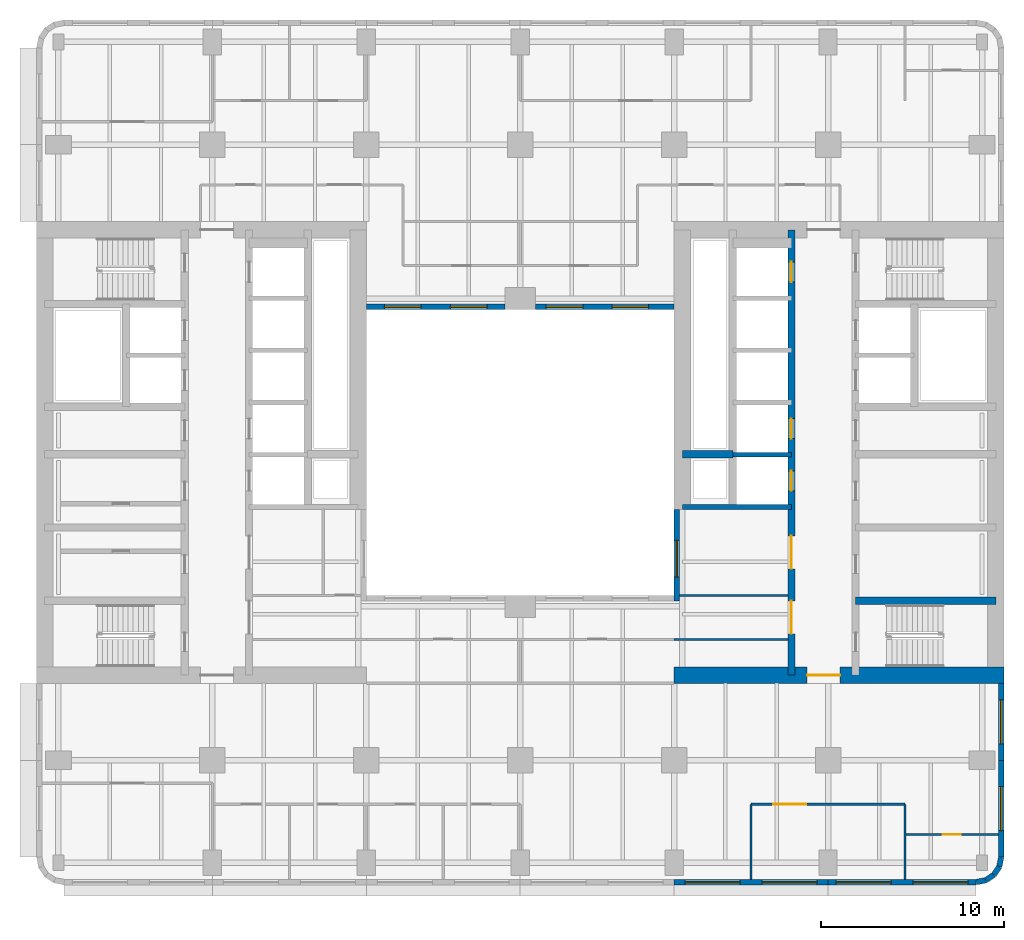
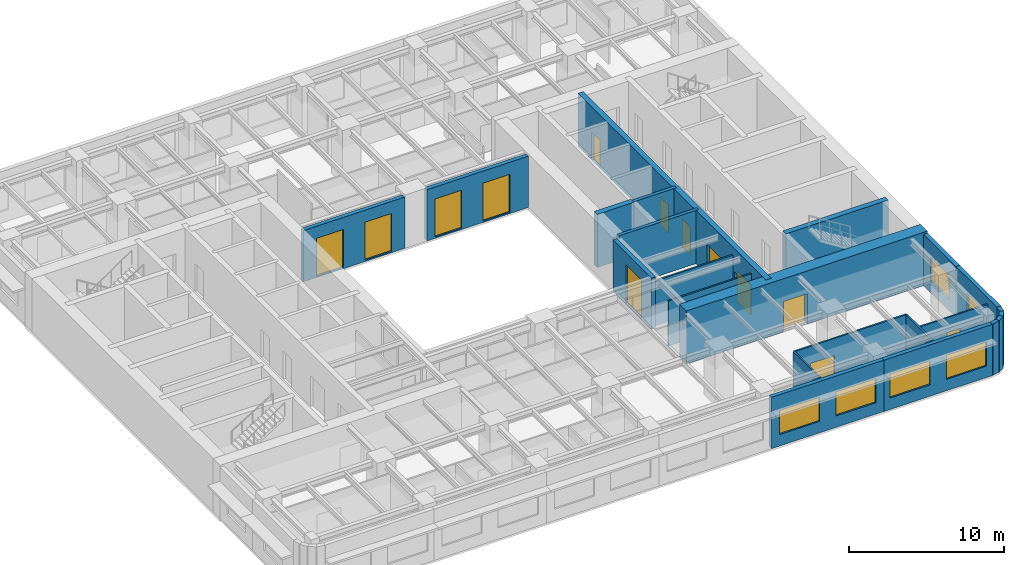
# One storey, part 5 of 11: 23 walls, 11 windows, 8 doors, 19 openings.
"""IFC4 building model written with IfcOpenShell, lengths in metres."""

from ifc_helpers import new_model, si_unit, direction, frame, frame_2d, origin, place, context, subcontext, project, spatial, rectangle, extrude, material, layer, layer_set, type_object, element, fill, save


model = new_model("IFC4")

# Units and contexts
model_context = context("Model", 3, precision=1e-05, world=origin(), true_north=direction((0.0, 1.0)))
body_context = subcontext(model_context, "Body", "Model", "MODEL_VIEW")
ifc_project = project(units=[si_unit("LENGTHUNIT", "METRE"), si_unit("AREAUNIT", "SQUARE_METRE"), si_unit("VOLUMEUNIT", "CUBIC_METRE"), si_unit("PLANEANGLEUNIT", "RADIAN"), si_unit("MASSUNIT", "GRAM", prefix="KILO")], contexts=[model_context])

# Site, building, storey
site_placement = place(None, origin())
site = spatial("IfcSite", under=ifc_project, at=site_placement, CompositionType="ELEMENT")
building_placement = place(site_placement, origin())
building = spatial("IfcBuilding", under=site, at=building_placement, Name="Claustro Exchange Tower", CompositionType="ELEMENT")
storey_placement = place(building_placement, frame((0.0, 0.0, 121.800048828125)))
storey = spatial("IfcBuildingStorey", under=building, at=storey_placement, Name="L27", CompositionType="ELEMENT", Elevation=121.800048828125)

# Wall
ifc_material_1 = material(Name="Laminated glass in aluminium frame", Category="aluminium")
ifc_layer_1 = layer(ifc_material_1, 0.1201171875)
ifc_layer_set_1 = layer_set([ifc_layer_1], Name="Laminated glass in aluminium frame")
wall_type_1 = type_object("IfcWallType", Name="P2 120 glazed partition", PredefinedType="PARTITIONING", material=ifc_layer_set_1)
wall_1_placement = place(storey_placement, frame((33.89794921875, 17.39990234375, 0.0), z_axis=(0.0, 0.0, 1.0), x_axis=(1.0, 0.0, 0.0)))
element("IfcWall", 1, at=wall_1_placement, inside=storey, type_object=wall_type_1, Name="Partition P2 L27", PredefinedType="PARTITIONING", context=body_context, shape_type="SweptSolid", body=[
    extrude(rectangle(XDim=5.904052734375, YDim=0.1201171875, at=frame_2d((2.9521484375, 0.0))), origin(), (0.0, 0.0, 1.0), 3.550048828125),
])

# Wall, opening, door
wall_2_placement = place(storey_placement, frame((46.258056640625, 4.35009765625, 0.0), z_axis=(0.0, 0.0, 1.0), x_axis=(1.0, 0.0, 0.0)))
wall_2 = element("IfcWall", 2, at=wall_2_placement, inside=storey, type_object=wall_type_1, Name="Partition P2 L27", PredefinedType="PARTITIONING", context=body_context, shape_type="SweptSolid", body=[
    extrude(rectangle(XDim=5.0439453125, YDim=0.1201171875, at=frame_2d((2.52197265625, 0.0))), origin(), (0.0, 0.0, 1.0), 3.56005859375),
])
opening_1_placement = place(wall_2_placement, frame((1.991943359375, 0.0, 0.0)))
opening_1 = element("IfcOpeningElement", 3, at=opening_1_placement, cuts=wall_2, Name="Opening D7", PredefinedType="OPENING", context=body_context, shape_type="SweptSolid", body=[
    extrude(rectangle(XDim=1.0, YDim=2.39990234375, at=frame_2d((0.5, 1.199951171875))), frame((0.0, 0.070068359375, 0.0), z_axis=(0.0, -1.0, 0.0), x_axis=(1.0, 0.0, 0.0)), (0.0, 0.0, 1.0), 0.14013671875),
])
ifc_material_2 = material(Name="Glass door in aluminium frame", Category="aluminium")
door_type_1 = type_object("IfcDoorType", Name="D7 1000 x 2400 glazed door", OperationType="SINGLE_SWING_LEFT", PredefinedType="DOOR", material=ifc_material_2)
door_1_placement = place(opening_1_placement, frame((1.0, 0.0, 0.0), z_axis=(0.0, 0.0, 1.0), x_axis=(-1.0, 0.0, 0.0)))
door_1 = element("IfcDoor", 4, at=door_1_placement, inside=storey, type_object=door_type_1, Name="Door D7 L27", OperationType="SINGLE_SWING_RIGHT", OverallHeight=2.39990234375, OverallWidth=1.0, PredefinedType="DOOR", context=body_context, shape_type="SweptSolid", body=[
    extrude(rectangle(XDim=1.0, YDim=2.39990234375, at=frame_2d((0.5, 1.199951171875))), frame((0.0, 0.02490234375, 0.0), z_axis=(0.0, -1.0, 0.0), x_axis=(1.0, 0.0, 0.0)), (0.0, 0.0, 1.0), 0.050048828125),
])
fill(opening_1, door_1)

wall_3_placement = place(storey_placement, frame((37.800048828125, 6.0, 0.0), z_axis=(0.0, 0.0, 1.0), x_axis=(1.0, 0.0, 0.0)))
wall_3 = element("IfcWall", 5, at=wall_3_placement, inside=storey, type_object=wall_type_1, Name="Partition P2 L27", PredefinedType="PARTITIONING", context=body_context, shape_type="SweptSolid", body=[
    extrude(rectangle(XDim=8.39990234375, YDim=0.1201171875, at=frame_2d((4.199951171875, 0.0))), origin(), (0.0, 0.0, 1.0), 3.550048828125),
])
opening_2_placement = place(wall_3_placement, frame((1.199951171875, 0.0, 0.0)))
opening_2 = element("IfcOpeningElement", 6, at=opening_2_placement, cuts=wall_3, Name="Opening D2", PredefinedType="OPENING", context=body_context, shape_type="SweptSolid", body=[
    extrude(rectangle(XDim=1.800048828125, YDim=2.199951171875, at=frame_2d((0.89990234375, 1.10009765625))), frame((0.0, 0.070068359375, 0.0), z_axis=(0.0, -1.0, 0.0), x_axis=(1.0, 0.0, 0.0)), (0.0, 0.0, 1.0), 0.14013671875),
])
ifc_material_3 = material(Name="Timber door, oak veneer", Category="wood")
door_type_2 = type_object("IfcDoorType", Name="D2 1800 x 2200 double door", OperationType="DOUBLE_DOOR_SINGLE_SWING", PredefinedType="DOOR", material=ifc_material_3)
door_2_placement = place(opening_2_placement, frame((1.800048828125, 0.0, 0.0), z_axis=(0.0, 0.0, 1.0), x_axis=(-1.0, 0.0, 0.0)))
door_2 = element("IfcDoor", 7, at=door_2_placement, inside=storey, type_object=door_type_2, Name="Double door D2 L27", OperationType="DOUBLE_DOOR_SINGLE_SWING", OverallHeight=2.199951171875, OverallWidth=1.800048828125, PredefinedType="DOOR", context=body_context, shape_type="SweptSolid", body=[
    extrude(rectangle(XDim=1.800048828125, YDim=2.199951171875, at=frame_2d((0.89990234375, 1.10009765625))), frame((0.0, 0.02490234375, 0.0), z_axis=(0.0, -1.0, 0.0), x_axis=(1.0, 0.0, 0.0)), (0.0, 0.0, 1.0), 0.050048828125),
])
fill(opening_2, door_2)

# Walls
for number, where, z_axis, x_axis, name in (
    (8, (37.800048828125, 1.89794921875, 0.0), (0.0, 0.0, 1.0), (0.0, 1.0, 0.0), "Partition P2 L27"),
    (9, (46.199951171875, 1.89794921875, 0.0), (0.0, 0.0, 1.0), (0.0, 1.0, 0.0), "Partition P2 L27"),
):
    element("IfcWall", number, at=place(storey_placement, frame(where, z_axis=z_axis, x_axis=x_axis)), inside=storey, type_object=wall_type_1, Name=name, PredefinedType="PARTITIONING", context=body_context, shape_type="SweptSolid", body=[
        extrude(rectangle(XDim=4.10205078125, YDim=0.1201171875, at=frame_2d((2.051025390625, 0.0))), origin(), (0.0, 0.0, 1.0), 3.56005859375),
    ])
wall_4_placement = place(storey_placement, frame((33.597900390625, 15.0, 0.0), z_axis=(0.0, 0.0, 1.0), x_axis=(1.0, 0.0, 0.0)))
element("IfcWall", 10, at=wall_4_placement, inside=storey, type_object=wall_type_1, Name="Partition P2 L27", PredefinedType="PARTITIONING", context=body_context, shape_type="SweptSolid", body=[
    extrude(rectangle(XDim=6.2041015625, YDim=0.1201171875, at=frame_2d((3.10205078125, 0.0))), origin(), (0.0, 0.0, 1.0), 3.550048828125),
])

# Wall, openings, windows
ifc_material_4 = material(Name="Concrete HA-40 (C40/50), precast, white cement, acid-etched", Category="concrete")
ifc_layer_2 = layer(ifc_material_4, 0.300048828125)
ifc_layer_set_2 = layer_set([ifc_layer_2], Name="Concrete HA-40 (C40/50), precast, white cement, acid-etched")
wall_type_2 = type_object("IfcWallType", Name="PC1 300 precast concrete pier panel", PredefinedType="SOLIDWALL", material=ifc_layer_set_2)
wall_5_placement = place(storey_placement, frame((50.085205078125, 1.75, 0.0), z_axis=(0.0, 0.0, 1.0), x_axis=(-1.0, 0.0, 0.0)))
wall_5 = element("IfcWall", 11, at=wall_5_placement, inside=storey, type_object=wall_type_2, Name="Precast pier panel PC1 L27", PredefinedType="SOLIDWALL", context=body_context, shape_type="SweptSolid", body=[
    extrude(rectangle(XDim=8.085205078125, YDim=0.300048828125, at=frame_2d((4.04248046875, 0.0))), origin(), (0.0, 0.0, 1.0), 4.050048828125),
])
opening_3_placement = place(wall_5_placement, frame((0.442626953125, 0.0, 0.89990234375)))
opening_3 = element("IfcOpeningElement", 12, at=opening_3_placement, cuts=wall_5, Name="Opening W1", PredefinedType="OPENING", context=body_context, shape_type="SweptSolid", body=[
    extrude(rectangle(XDim=3.0, YDim=1.89990234375, at=frame_2d((1.5, 0.949951171875))), frame((0.0, 0.159912109375, 0.0), z_axis=(0.0, -1.0, 0.0), x_axis=(1.0, 0.0, 0.0)), (0.0, 0.0, 1.0), 0.320068359375),
])
opening_4_placement = place(wall_5_placement, frame((4.642578125, 0.0, 0.89990234375)))
opening_4 = element("IfcOpeningElement", 13, at=opening_4_placement, cuts=wall_5, Name="Opening W1", PredefinedType="OPENING", context=body_context, shape_type="SweptSolid", body=[
    extrude(rectangle(XDim=3.0, YDim=1.89990234375, at=frame_2d((1.5, 0.949951171875))), frame((0.0, 0.159912109375, 0.0), z_axis=(0.0, -1.0, 0.0), x_axis=(1.0, 0.0, 0.0)), (0.0, 0.0, 1.0), 0.320068359375),
])
ifc_material_5 = material(Name="Aluminium frame, clear double glazing", Category="aluminium")
window_type_1 = type_object("IfcWindowType", Name="W1 3000 x 1900 window", PartitioningType="SINGLE_PANEL", PredefinedType="WINDOW", material=ifc_material_5)
window_1_placement = place(opening_3_placement, origin())
window_1 = element("IfcWindow", 14, at=window_1_placement, inside=storey, type_object=window_type_1, Name="Window W1 L27", OverallHeight=1.89990234375, OverallWidth=3.0, PartitioningType="SINGLE_PANEL", PredefinedType="WINDOW", context=body_context, shape_type="SweptSolid", body=[
    extrude(rectangle(XDim=3.0, YDim=1.89990234375, at=frame_2d((1.5, 0.949951171875))), frame((0.0, 0.030029296875, 0.0), z_axis=(0.0, -1.0, 0.0), x_axis=(1.0, 0.0, 0.0)), (0.0, 0.0, 1.0), 0.06005859375),
])
fill(opening_3, window_1)
window_2_placement = place(opening_4_placement, origin())
window_2 = element("IfcWindow", 15, at=window_2_placement, inside=storey, type_object=window_type_1, Name="Window W1 L27", OverallHeight=1.89990234375, OverallWidth=3.0, PartitioningType="SINGLE_PANEL", PredefinedType="WINDOW", context=body_context, shape_type="SweptSolid", body=[
    extrude(rectangle(XDim=3.0, YDim=1.89990234375, at=frame_2d((1.5, 0.949951171875))), frame((0.0, 0.030029296875, 0.0), z_axis=(0.0, -1.0, 0.0), x_axis=(1.0, 0.0, 0.0)), (0.0, 0.0, 1.0), 0.06005859375),
])
fill(opening_4, window_2)

wall_6_placement = place(storey_placement, frame((42.0, 1.75, 0.0), z_axis=(0.0, 0.0, 1.0), x_axis=(-1.0, 0.0, 0.0)))
wall_6 = element("IfcWall", 16, at=wall_6_placement, inside=storey, type_object=wall_type_2, Name="Precast pier panel PC1 L27", PredefinedType="SOLIDWALL", context=body_context, shape_type="SweptSolid", body=[
    extrude(rectangle(XDim=8.39990234375, YDim=0.300048828125, at=frame_2d((4.199951171875, 0.0))), origin(), (0.0, 0.0, 1.0), 4.050048828125),
])
opening_5_placement = place(wall_6_placement, frame((0.60009765625, 0.0, 0.89990234375)))
opening_5 = element("IfcOpeningElement", 17, at=opening_5_placement, cuts=wall_6, Name="Opening W1", PredefinedType="OPENING", context=body_context, shape_type="SweptSolid", body=[
    extrude(rectangle(XDim=3.0, YDim=1.89990234375, at=frame_2d((1.5, 0.949951171875))), frame((0.0, 0.159912109375, 0.0), z_axis=(0.0, -1.0, 0.0), x_axis=(1.0, 0.0, 0.0)), (0.0, 0.0, 1.0), 0.320068359375),
])
opening_6_placement = place(wall_6_placement, frame((4.800048828125, 0.0, 0.89990234375)))
opening_6 = element("IfcOpeningElement", 18, at=opening_6_placement, cuts=wall_6, Name="Opening W1", PredefinedType="OPENING", context=body_context, shape_type="SweptSolid", body=[
    extrude(rectangle(XDim=3.0, YDim=1.89990234375, at=frame_2d((1.5, 0.949951171875))), frame((0.0, 0.159912109375, 0.0), z_axis=(0.0, -1.0, 0.0), x_axis=(1.0, 0.0, 0.0)), (0.0, 0.0, 1.0), 0.320068359375),
])
window_3_placement = place(opening_5_placement, origin())
window_3 = element("IfcWindow", 19, at=window_3_placement, inside=storey, type_object=window_type_1, Name="Window W1 L27", OverallHeight=1.89990234375, OverallWidth=3.0, PartitioningType="SINGLE_PANEL", PredefinedType="WINDOW", context=body_context, shape_type="SweptSolid", body=[
    extrude(rectangle(XDim=3.0, YDim=1.89990234375, at=frame_2d((1.5, 0.949951171875))), frame((0.0, 0.030029296875, 0.0), z_axis=(0.0, -1.0, 0.0), x_axis=(1.0, 0.0, 0.0)), (0.0, 0.0, 1.0), 0.06005859375),
])
fill(opening_5, window_3)
window_4_placement = place(opening_6_placement, origin())
window_4 = element("IfcWindow", 20, at=window_4_placement, inside=storey, type_object=window_type_1, Name="Window W1 L27", OverallHeight=1.89990234375, OverallWidth=3.0, PartitioningType="SINGLE_PANEL", PredefinedType="WINDOW", context=body_context, shape_type="SweptSolid", body=[
    extrude(rectangle(XDim=3.0, YDim=1.89990234375, at=frame_2d((1.5, 0.949951171875))), frame((0.0, 0.030029296875, 0.0), z_axis=(0.0, -1.0, 0.0), x_axis=(1.0, 0.0, 0.0)), (0.0, 0.0, 1.0), 0.06005859375),
])
fill(opening_6, window_4)

# Wall, opening, window
wall_7_placement = place(storey_placement, frame((51.449951171875, 12.60009765625, 0.0), z_axis=(0.0, 0.0, 1.0), x_axis=(0.0, -1.0, 0.0)))
wall_7 = element("IfcWall", 21, at=wall_7_placement, inside=storey, type_object=wall_type_2, Name="Precast pier panel PC1 L27", PredefinedType="SOLIDWALL", context=body_context, shape_type="SweptSolid", body=[
    extrude(rectangle(XDim=4.2001953125, YDim=0.300048828125, at=frame_2d((2.10009765625, 0.0))), origin(), (0.0, 0.0, 1.0), 4.050048828125),
])
opening_7_placement = place(wall_7_placement, frame((0.89990234375, 0.0, 0.89990234375)))
opening_7 = element("IfcOpeningElement", 22, at=opening_7_placement, cuts=wall_7, Name="Opening W2", PredefinedType="OPENING", context=body_context, shape_type="SweptSolid", body=[
    extrude(rectangle(XDim=2.39990234375, YDim=1.89990234375, at=frame_2d((1.199951171875, 0.949951171875))), frame((0.0, 0.159912109375, 0.0), z_axis=(0.0, -1.0, 0.0), x_axis=(1.0, 0.0, 0.0)), (0.0, 0.0, 1.0), 0.320068359375),
])
ifc_material_6 = material(Name="Aluminium frame, clear double glazing", Category="aluminium")
window_type_2 = type_object("IfcWindowType", Name="W2 2400 x 1900 window", PartitioningType="SINGLE_PANEL", PredefinedType="WINDOW", material=ifc_material_6)
window_5_placement = place(opening_7_placement, origin())
window_5 = element("IfcWindow", 23, at=window_5_placement, inside=storey, type_object=window_type_2, Name="Window W2 L27", OverallHeight=1.89990234375, OverallWidth=2.39990234375, PartitioningType="SINGLE_PANEL", PredefinedType="WINDOW", context=body_context, shape_type="SweptSolid", body=[
    extrude(rectangle(XDim=2.39990234375, YDim=1.89990234375, at=frame_2d((1.199951171875, 0.949951171875))), frame((0.0, 0.030029296875, 0.0), z_axis=(0.0, -1.0, 0.0), x_axis=(1.0, 0.0, 0.0)), (0.0, 0.0, 1.0), 0.06005859375),
])
fill(opening_7, window_5)

wall_8_placement = place(storey_placement, frame((51.449951171875, 8.39990234375, 0.0), z_axis=(0.0, 0.0, 1.0), x_axis=(0.0, -1.0, 0.0)))
wall_8 = element("IfcWall", 24, at=wall_8_placement, inside=storey, type_object=wall_type_2, Name="Precast pier panel PC1 L27", PredefinedType="SOLIDWALL", context=body_context, shape_type="SweptSolid", body=[
    extrude(rectangle(XDim=5.28515625, YDim=0.300048828125, at=frame_2d((2.642578125, 0.0))), origin(), (0.0, 0.0, 1.0), 4.050048828125),
])
opening_8_placement = place(wall_8_placement, frame((1.442626953125, 0.0, 0.89990234375)))
opening_8 = element("IfcOpeningElement", 25, at=opening_8_placement, cuts=wall_8, Name="Opening W2", PredefinedType="OPENING", context=body_context, shape_type="SweptSolid", body=[
    extrude(rectangle(XDim=2.39990234375, YDim=1.89990234375, at=frame_2d((1.199951171875, 0.949951171875))), frame((0.0, 0.159912109375, 0.0), z_axis=(0.0, -1.0, 0.0), x_axis=(1.0, 0.0, 0.0)), (0.0, 0.0, 1.0), 0.320068359375),
])
window_6_placement = place(opening_8_placement, origin())
window_6 = element("IfcWindow", 26, at=window_6_placement, inside=storey, type_object=window_type_2, Name="Window W2 L27", OverallHeight=1.89990234375, OverallWidth=2.39990234375, PartitioningType="SINGLE_PANEL", PredefinedType="WINDOW", context=body_context, shape_type="SweptSolid", body=[
    extrude(rectangle(XDim=2.39990234375, YDim=1.89990234375, at=frame_2d((1.199951171875, 0.949951171875))), frame((0.0, 0.030029296875, 0.0), z_axis=(0.0, -1.0, 0.0), x_axis=(1.0, 0.0, 0.0)), (0.0, 0.0, 1.0), 0.06005859375),
])
fill(opening_8, window_6)

# Walls
wall_9_placement = place(storey_placement, frame((51.449951171875, 3.11474609375, 0.0), z_axis=(0.0, 0.0, 1.0), x_axis=(-0.195073962632, -0.980788534345, 0.0)))
element("IfcWall", 27, at=wall_9_placement, inside=storey, type_object=wall_type_2, Name="Precast pier panel PC1 L27", PredefinedType="SOLIDWALL", context=body_context, shape_type="SweptSolid", body=[
    extrude(rectangle(XDim=0.540771484375, YDim=0.300048828125, at=frame_2d((0.2705078125, 0.0))), origin(), (0.0, 0.0, 1.0), 4.050048828125),
])
for number, where, z_axis, x_axis, name in (
    (28, (51.344482421875, 2.58447265625, 0.0), (0.0, 0.0, 1.0), (-0.555557463938, -0.831478144188, 0.0), "Precast pier panel PC1 L27"),
    (29, (51.052490234375, 2.1474609375, 0.0), (0.0, 0.0, 1.0), (-0.831478144188, -0.555557463938, 0.0), "Precast pier panel PC1 L27"),
):
    element("IfcWall", number, at=place(storey_placement, frame(where, z_axis=z_axis, x_axis=x_axis)), inside=storey, type_object=wall_type_2, Name=name, PredefinedType="SOLIDWALL", context=body_context, shape_type="SweptSolid", body=[
        extrude(rectangle(XDim=0.525634765625, YDim=0.300048828125, at=frame_2d((0.2626953125, 0.0))), origin(), (0.0, 0.0, 1.0), 4.050048828125),
    ])
wall_10_placement = place(storey_placement, frame((50.615478515625, 1.85546875, 0.0), z_axis=(0.0, 0.0, 1.0), x_axis=(-0.980788534345, -0.195073962632, 0.0)))
element("IfcWall", 30, at=wall_10_placement, inside=storey, type_object=wall_type_2, Name="Precast pier panel PC1 L27", PredefinedType="SOLIDWALL", context=body_context, shape_type="SweptSolid", body=[
    extrude(rectangle(XDim=0.540771484375, YDim=0.300048828125, at=frame_2d((0.2705078125, 0.0))), origin(), (0.0, 0.0, 1.0), 4.050048828125),
])

# Wall, opening, window
wall_11_placement = place(storey_placement, frame((33.75, 17.10009765625, 0.0), z_axis=(0.0, 0.0, 1.0), x_axis=(0.0, 1.0, 0.0)))
wall_11 = element("IfcWall", 31, at=wall_11_placement, inside=storey, type_object=wall_type_2, Name="Precast pier panel PC1 L27", PredefinedType="SOLIDWALL", context=body_context, shape_type="SweptSolid", body=[
    extrude(rectangle(XDim=5.0, YDim=0.300048828125, at=frame_2d((2.5, 0.0))), origin(), (0.0, 0.0, 1.0), 4.050048828125),
])
opening_9_placement = place(wall_11_placement, frame((1.300048828125, 0.0, 0.10009765625)))
opening_9 = element("IfcOpeningElement", 32, at=opening_9_placement, cuts=wall_11, Name="Opening W-A", PredefinedType="OPENING", context=body_context, shape_type="SweptSolid", body=[
    extrude(rectangle(XDim=2.0, YDim=3.0, at=frame_2d((1.0, 1.5))), frame((0.0, 0.159912109375, 0.0), z_axis=(0.0, -1.0, 0.0), x_axis=(1.0, 0.0, 0.0)), (0.0, 0.0, 1.0), 0.320068359375),
])
ifc_material_7 = material(Name="Aluminium frame, clear double glazing", Category="aluminium")
window_type_3 = type_object("IfcWindowType", Name="W-A 2000 x 3000 arcade window", PartitioningType="SINGLE_PANEL", PredefinedType="WINDOW", material=ifc_material_7)
window_7_placement = place(opening_9_placement, origin())
window_7 = element("IfcWindow", 33, at=window_7_placement, inside=storey, type_object=window_type_3, Name="Window W-A L27", OverallHeight=3.0, OverallWidth=2.0, PartitioningType="SINGLE_PANEL", PredefinedType="WINDOW", context=body_context, shape_type="SweptSolid", body=[
    extrude(rectangle(XDim=2.0, YDim=3.0, at=frame_2d((1.0, 1.5))), frame((0.0, 0.030029296875, 0.0), z_axis=(0.0, -1.0, 0.0), x_axis=(1.0, 0.0, 0.0)), (0.0, 0.0, 1.0), 0.06005859375),
])
fill(opening_9, window_7)

# Wall, openings, windows
wall_12_placement = place(storey_placement, frame((16.800048828125, 33.14990234375, 0.0), z_axis=(0.0, 0.0, 1.0), x_axis=(1.0, 0.0, 0.0)))
wall_12 = element("IfcWall", 34, at=wall_12_placement, inside=storey, type_object=wall_type_2, Name="Precast pier panel PC1 L27", PredefinedType="SOLIDWALL", context=body_context, shape_type="SweptSolid", body=[
    extrude(rectangle(XDim=7.574951171875, YDim=0.300048828125, at=frame_2d((3.78759765625, 0.0))), origin(), (0.0, 0.0, 1.0), 4.050048828125),
])
opening_10_placement = place(wall_12_placement, frame((0.987548828125, 0.0, 0.10009765625)))
opening_10 = element("IfcOpeningElement", 35, at=opening_10_placement, cuts=wall_12, Name="Opening W-A", PredefinedType="OPENING", context=body_context, shape_type="SweptSolid", body=[
    extrude(rectangle(XDim=2.0, YDim=3.0, at=frame_2d((1.0, 1.5))), frame((0.0, 0.159912109375, 0.0), z_axis=(0.0, -1.0, 0.0), x_axis=(1.0, 0.0, 0.0)), (0.0, 0.0, 1.0), 0.320068359375),
])
opening_11_placement = place(wall_12_placement, frame((4.58740234375, 0.0, 0.10009765625)))
opening_11 = element("IfcOpeningElement", 36, at=opening_11_placement, cuts=wall_12, Name="Opening W-A", PredefinedType="OPENING", context=body_context, shape_type="SweptSolid", body=[
    extrude(rectangle(XDim=2.0, YDim=3.0, at=frame_2d((1.0, 1.5))), frame((0.0, 0.159912109375, 0.0), z_axis=(0.0, -1.0, 0.0), x_axis=(1.0, 0.0, 0.0)), (0.0, 0.0, 1.0), 0.320068359375),
])
window_8_placement = place(opening_10_placement, origin())
window_8 = element("IfcWindow", 37, at=window_8_placement, inside=storey, type_object=window_type_3, Name="Window W-A L27", OverallHeight=3.0, OverallWidth=2.0, PartitioningType="SINGLE_PANEL", PredefinedType="WINDOW", context=body_context, shape_type="SweptSolid", body=[
    extrude(rectangle(XDim=2.0, YDim=3.0, at=frame_2d((1.0, 1.5))), frame((0.0, 0.030029296875, 0.0), z_axis=(0.0, -1.0, 0.0), x_axis=(1.0, 0.0, 0.0)), (0.0, 0.0, 1.0), 0.06005859375),
])
fill(opening_10, window_8)
window_9_placement = place(opening_11_placement, origin())
window_9 = element("IfcWindow", 38, at=window_9_placement, inside=storey, type_object=window_type_3, Name="Window W-A L27", OverallHeight=3.0, OverallWidth=2.0, PartitioningType="SINGLE_PANEL", PredefinedType="WINDOW", context=body_context, shape_type="SweptSolid", body=[
    extrude(rectangle(XDim=2.0, YDim=3.0, at=frame_2d((1.0, 1.5))), frame((0.0, 0.030029296875, 0.0), z_axis=(0.0, -1.0, 0.0), x_axis=(1.0, 0.0, 0.0)), (0.0, 0.0, 1.0), 0.06005859375),
])
fill(opening_11, window_9)

wall_13_placement = place(storey_placement, frame((26.02490234375, 33.14990234375, 0.0), z_axis=(0.0, 0.0, 1.0), x_axis=(1.0, 0.0, 0.0)))
wall_13 = element("IfcWall", 39, at=wall_13_placement, inside=storey, type_object=wall_type_2, Name="Precast pier panel PC1 L27", PredefinedType="SOLIDWALL", context=body_context, shape_type="SweptSolid", body=[
    extrude(rectangle(XDim=7.5751953125, YDim=0.300048828125, at=frame_2d((3.78759765625, 0.0))), origin(), (0.0, 0.0, 1.0), 4.050048828125),
])
opening_12_placement = place(wall_13_placement, frame((0.58740234375, 0.0, 0.10009765625)))
opening_12 = element("IfcOpeningElement", 40, at=opening_12_placement, cuts=wall_13, Name="Opening W-A", PredefinedType="OPENING", context=body_context, shape_type="SweptSolid", body=[
    extrude(rectangle(XDim=2.0, YDim=3.0, at=frame_2d((1.0, 1.5))), frame((0.0, 0.159912109375, 0.0), z_axis=(0.0, -1.0, 0.0), x_axis=(1.0, 0.0, 0.0)), (0.0, 0.0, 1.0), 0.320068359375),
])
opening_13_placement = place(wall_13_placement, frame((4.1875, 0.0, 0.10009765625)))
opening_13 = element("IfcOpeningElement", 41, at=opening_13_placement, cuts=wall_13, Name="Opening W-A", PredefinedType="OPENING", context=body_context, shape_type="SweptSolid", body=[
    extrude(rectangle(XDim=2.0, YDim=3.0, at=frame_2d((1.0, 1.5))), frame((0.0, 0.159912109375, 0.0), z_axis=(0.0, -1.0, 0.0), x_axis=(1.0, 0.0, 0.0)), (0.0, 0.0, 1.0), 0.320068359375),
])
window_10_placement = place(opening_12_placement, origin())
window_10 = element("IfcWindow", 42, at=window_10_placement, inside=storey, type_object=window_type_3, Name="Window W-A L27", OverallHeight=3.0, OverallWidth=2.0, PartitioningType="SINGLE_PANEL", PredefinedType="WINDOW", context=body_context, shape_type="SweptSolid", body=[
    extrude(rectangle(XDim=2.0, YDim=3.0, at=frame_2d((1.0, 1.5))), frame((0.0, 0.030029296875, 0.0), z_axis=(0.0, -1.0, 0.0), x_axis=(1.0, 0.0, 0.0)), (0.0, 0.0, 1.0), 0.06005859375),
])
fill(opening_12, window_10)
window_11_placement = place(opening_13_placement, origin())
window_11 = element("IfcWindow", 43, at=window_11_placement, inside=storey, type_object=window_type_3, Name="Window W-A L27", OverallHeight=3.0, OverallWidth=2.0, PartitioningType="SINGLE_PANEL", PredefinedType="WINDOW", context=body_context, shape_type="SweptSolid", body=[
    extrude(rectangle(XDim=2.0, YDim=3.0, at=frame_2d((1.0, 1.5))), frame((0.0, 0.030029296875, 0.0), z_axis=(0.0, -1.0, 0.0), x_axis=(1.0, 0.0, 0.0)), (0.0, 0.0, 1.0), 0.06005859375),
])
fill(opening_13, window_11)

# Wall, opening, door
ifc_material_8 = material(Name="Concrete HA-70 (C70/85)", Category="concrete")
ifc_layer_3 = layer(ifc_material_8, 0.89990234375)
ifc_layer_set_3 = layer_set([ifc_layer_3], Name="Concrete HA-70 (C70/85)")
wall_type_3 = type_object("IfcWallType", Name="SW1 900 core shear wall", PredefinedType="SHEAR", material=ifc_layer_set_3)
wall_14_placement = place(storey_placement, frame((33.60009765625, 13.050048828125, 0.0), z_axis=(0.0, 0.0, 1.0), x_axis=(1.0, 0.0, 0.0)))
wall_14 = element("IfcWall", 44, at=wall_14_placement, inside=storey, type_object=wall_type_3, Name="Core wall SW1 E core S face L27", PredefinedType="SHEAR", context=body_context, shape_type="SweptSolid", body=[
    extrude(rectangle(XDim=18.0, YDim=0.89990234375, at=frame_2d((9.0, 0.0))), origin(), (0.0, 0.0, 1.0), 4.199951171875),
])
opening_14_placement = place(wall_14_placement, frame((7.25, 0.0, 0.0)))
opening_14 = element("IfcOpeningElement", 45, at=opening_14_placement, cuts=wall_14, Name="Opening D3", PredefinedType="OPENING", context=body_context, shape_type="SweptSolid", body=[
    extrude(rectangle(XDim=1.800048828125, YDim=2.39990234375, at=frame_2d((0.89990234375, 1.199951171875))), frame((0.0, 0.4599609375, 0.0), z_axis=(0.0, -1.0, 0.0), x_axis=(1.0, 0.0, 0.0)), (0.0, 0.0, 1.0), 0.919921875),
])
ifc_material_9 = material(Name="Steel fire door, painted", Category="steel")
door_type_3 = type_object("IfcDoorType", Name="D3 1800 x 2400 fire-rated lobby double door", OperationType="DOUBLE_DOOR_SINGLE_SWING", PredefinedType="DOOR", material=ifc_material_9)
door_3_placement = place(opening_14_placement, frame((1.800048828125, 0.0, 0.0), z_axis=(0.0, 0.0, 1.0), x_axis=(-1.0, 0.0, 0.0)))
door_3 = element("IfcDoor", 46, at=door_3_placement, inside=storey, type_object=door_type_3, Name="Lift lobby door D3 L27", OperationType="DOUBLE_DOOR_SINGLE_SWING", OverallHeight=2.39990234375, OverallWidth=1.800048828125, PredefinedType="DOOR", context=body_context, shape_type="SweptSolid", body=[
    extrude(rectangle(XDim=1.800048828125, YDim=2.39990234375, at=frame_2d((0.89990234375, 1.199951171875))), frame((0.0, 0.02490234375, 0.0), z_axis=(0.0, -1.0, 0.0), x_axis=(1.0, 0.0, 0.0)), (0.0, 0.0, 1.0), 0.050048828125),
])
fill(opening_14, door_3)

# Wall, openings, doors
ifc_material_10 = material(Name="Concrete HA-50 (C50/60)", Category="concrete")
ifc_layer_4 = layer(ifc_material_10, 0.39990234375)
ifc_layer_set_4 = layer_set([ifc_layer_4], Name="Concrete HA-50 (C50/60)")
wall_type_4 = type_object("IfcWallType", Name="SW4 400 internal core wall", PredefinedType="SHEAR", material=ifc_layer_set_4)
wall_15_placement = place(storey_placement, frame((40.0, 13.050048828125, 0.0), z_axis=(0.0, 0.0, 1.0), x_axis=(0.0, 1.0, 0.0)))
wall_15 = element("IfcWall", 47, at=wall_15_placement, inside=storey, type_object=wall_type_4, Name="Internal core wall SW4 E core L27", PredefinedType="SHEAR", context=body_context, shape_type="SweptSolid", body=[
    extrude(rectangle(XDim=24.300048828125, YDim=0.39990234375, at=frame_2d((12.14990234375, 0.0))), origin(), (0.0, 0.0, 1.0), 4.199951171875),
])
opening_15_placement = place(wall_15_placement, frame((10.050048828125, 0.0, 0.0)))
opening_15 = element("IfcOpeningElement", 48, at=opening_15_placement, cuts=wall_15, Name="Opening LD", PredefinedType="OPENING", context=body_context, shape_type="SweptSolid", body=[
    extrude(rectangle(XDim=1.10009765625, YDim=2.199951171875, at=frame_2d((0.550048828125, 1.10009765625))), frame((0.0, 0.2099609375, 0.0), z_axis=(0.0, -1.0, 0.0), x_axis=(1.0, 0.0, 0.0)), (0.0, 0.0, 1.0), 0.419921875),
])
opening_16_placement = place(wall_15_placement, frame((12.89990234375, 0.0, 0.0)))
opening_16 = element("IfcOpeningElement", 49, at=opening_16_placement, cuts=wall_15, Name="Opening LD", PredefinedType="OPENING", context=body_context, shape_type="SweptSolid", body=[
    extrude(rectangle(XDim=1.10009765625, YDim=2.199951171875, at=frame_2d((0.550048828125, 1.10009765625))), frame((0.0, 0.2099609375, 0.0), z_axis=(0.0, -1.0, 0.0), x_axis=(1.0, 0.0, 0.0)), (0.0, 0.0, 1.0), 0.419921875),
])
opening_17_placement = place(wall_15_placement, frame((21.449951171875, 0.0, 0.0)))
opening_17 = element("IfcOpeningElement", 50, at=opening_17_placement, cuts=wall_15, Name="Opening LD", PredefinedType="OPENING", context=body_context, shape_type="SweptSolid", body=[
    extrude(rectangle(XDim=1.10009765625, YDim=2.199951171875, at=frame_2d((0.550048828125, 1.10009765625))), frame((0.0, 0.2099609375, 0.0), z_axis=(0.0, -1.0, 0.0), x_axis=(1.0, 0.0, 0.0)), (0.0, 0.0, 1.0), 0.419921875),
])
opening_18_placement = place(wall_15_placement, frame((2.25, 0.0, 0.0)))
opening_18 = element("IfcOpeningElement", 51, at=opening_18_placement, cuts=wall_15, Name="Opening D3", PredefinedType="OPENING", context=body_context, shape_type="SweptSolid", body=[
    extrude(rectangle(XDim=1.800048828125, YDim=2.39990234375, at=frame_2d((0.89990234375, 1.199951171875))), frame((0.0, 0.2099609375, 0.0), z_axis=(0.0, -1.0, 0.0), x_axis=(1.0, 0.0, 0.0)), (0.0, 0.0, 1.0), 0.419921875),
])
opening_19_placement = place(wall_15_placement, frame((5.800048828125, 0.0, 0.0)))
opening_19 = element("IfcOpeningElement", 52, at=opening_19_placement, cuts=wall_15, Name="Opening D3", PredefinedType="OPENING", context=body_context, shape_type="SweptSolid", body=[
    extrude(rectangle(XDim=1.800048828125, YDim=2.39990234375, at=frame_2d((0.89990234375, 1.199951171875))), frame((0.0, 0.2099609375, 0.0), z_axis=(0.0, -1.0, 0.0), x_axis=(1.0, 0.0, 0.0)), (0.0, 0.0, 1.0), 0.419921875),
])
door_4_placement = place(opening_18_placement, frame((1.800048828125, 0.0, 0.0), z_axis=(0.0, 0.0, 1.0), x_axis=(-1.0, 0.0, 0.0)))
door_4 = element("IfcDoor", 53, at=door_4_placement, inside=storey, type_object=door_type_3, Name="Core zone door D3 L27", OperationType="DOUBLE_DOOR_SINGLE_SWING", OverallHeight=2.39990234375, OverallWidth=1.800048828125, PredefinedType="DOOR", context=body_context, shape_type="SweptSolid", body=[
    extrude(rectangle(XDim=1.800048828125, YDim=2.39990234375, at=frame_2d((0.89990234375, 1.199951171875))), frame((0.0, 0.02490234375, 0.0), z_axis=(0.0, -1.0, 0.0), x_axis=(1.0, 0.0, 0.0)), (0.0, 0.0, 1.0), 0.050048828125),
])
fill(opening_18, door_4)
door_5_placement = place(opening_19_placement, origin())
door_5 = element("IfcDoor", 54, at=door_5_placement, inside=storey, type_object=door_type_3, Name="Core zone door D3 L27", OperationType="DOUBLE_DOOR_SINGLE_SWING", OverallHeight=2.39990234375, OverallWidth=1.800048828125, PredefinedType="DOOR", context=body_context, shape_type="SweptSolid", body=[
    extrude(rectangle(XDim=1.800048828125, YDim=2.39990234375, at=frame_2d((0.89990234375, 1.199951171875))), frame((0.0, 0.02490234375, 0.0), z_axis=(0.0, -1.0, 0.0), x_axis=(1.0, 0.0, 0.0)), (0.0, 0.0, 1.0), 0.050048828125),
])
fill(opening_19, door_5)
ifc_material_11 = material(Name="Stainless steel sliding door", Category="steel")
door_type_4 = type_object("IfcDoorType", Name="LD 1100 x 2200 lift landing door", OperationType="DOUBLE_DOOR_SLIDING", PredefinedType="DOOR", material=ifc_material_11)
door_6_placement = place(opening_15_placement, origin())
door_6 = element("IfcDoor", 55, at=door_6_placement, inside=storey, type_object=door_type_4, Name="Lift landing door LME1 LD L27", OperationType="DOUBLE_DOOR_SLIDING", OverallHeight=2.199951171875, OverallWidth=1.10009765625, PredefinedType="DOOR", context=body_context, shape_type="SweptSolid", body=[
    extrude(rectangle(XDim=1.10009765625, YDim=2.199951171875, at=frame_2d((0.550048828125, 1.10009765625))), frame((0.0, 0.02490234375, 0.0), z_axis=(0.0, -1.0, 0.0), x_axis=(1.0, 0.0, 0.0)), (0.0, 0.0, 1.0), 0.050048828125),
])
fill(opening_15, door_6)
door_7_placement = place(opening_16_placement, origin())
door_7 = element("IfcDoor", 56, at=door_7_placement, inside=storey, type_object=door_type_4, Name="Lift landing door LME2 LD L27", OperationType="DOUBLE_DOOR_SLIDING", OverallHeight=2.199951171875, OverallWidth=1.10009765625, PredefinedType="DOOR", context=body_context, shape_type="SweptSolid", body=[
    extrude(rectangle(XDim=1.10009765625, YDim=2.199951171875, at=frame_2d((0.550048828125, 1.10009765625))), frame((0.0, 0.02490234375, 0.0), z_axis=(0.0, -1.0, 0.0), x_axis=(1.0, 0.0, 0.0)), (0.0, 0.0, 1.0), 0.050048828125),
])
fill(opening_16, door_7)
door_8_placement = place(opening_17_placement, origin())
door_8 = element("IfcDoor", 57, at=door_8_placement, inside=storey, type_object=door_type_4, Name="Lift landing door LSE1 LD L27", OperationType="DOUBLE_DOOR_SLIDING", OverallHeight=2.199951171875, OverallWidth=1.10009765625, PredefinedType="DOOR", context=body_context, shape_type="SweptSolid", body=[
    extrude(rectangle(XDim=1.10009765625, YDim=2.199951171875, at=frame_2d((0.550048828125, 1.10009765625))), frame((0.0, 0.02490234375, 0.0), z_axis=(0.0, -1.0, 0.0), x_axis=(1.0, 0.0, 0.0)), (0.0, 0.0, 1.0), 0.050048828125),
])
fill(opening_17, door_8)

# Walls
wall_16_placement = place(storey_placement, frame((51.14990234375, 17.10009765625, 0.0), z_axis=(0.0, 0.0, 1.0), x_axis=(-1.0, 0.0, 0.0)))
element("IfcWall", 58, at=wall_16_placement, inside=storey, type_object=wall_type_4, Name="Internal core wall SW4 E core L27", PredefinedType="SHEAR", context=body_context, shape_type="SweptSolid", body=[
    extrude(rectangle(XDim=7.64990234375, YDim=0.39990234375, at=frame_2d((3.824951171875, 0.0))), origin(), (0.0, 0.0, 1.0), 4.199951171875),
])
wall_17_placement = place(storey_placement, frame((36.800048828125, 25.10009765625, 0.0), z_axis=(0.0, 0.0, 1.0), x_axis=(-1.0, 0.0, 0.0)))
element("IfcWall", 59, at=wall_17_placement, inside=storey, type_object=wall_type_4, Name="Internal core wall SW4 E core L27", PredefinedType="SHEAR", context=body_context, shape_type="SweptSolid", body=[
    extrude(rectangle(XDim=2.75, YDim=0.39990234375, at=frame_2d((1.375, 0.0))), origin(), (0.0, 0.0, 1.0), 4.199951171875),
])
ifc_material_12 = material(Name="Concrete HA-50 (C50/60)", Category="concrete")
ifc_layer_5 = layer(ifc_material_12, 0.25)
ifc_layer_set_5 = layer_set([ifc_layer_5], Name="Concrete HA-50 (C50/60)")
wall_type_5 = type_object("IfcWallType", Name="SW5 250 lift shaft divider wall", PredefinedType="SHEAR", material=ifc_layer_set_5)
wall_18_placement = place(storey_placement, frame((40.0, 22.22509765625, 0.0), z_axis=(0.0, 0.0, 1.0), x_axis=(-1.0, 0.0, 0.0)))
element("IfcWall", 60, at=wall_18_placement, inside=storey, type_object=wall_type_5, Name="Core step wall E core L27", PredefinedType="SHEAR", context=body_context, shape_type="SweptSolid", body=[
    extrude(rectangle(XDim=5.949951171875, YDim=0.25, at=frame_2d((2.97509765625, 0.0))), origin(), (0.0, 0.0, 1.0), 4.199951171875),
])
wall_19_placement = place(storey_placement, frame((40.0, 25.074951171875, 0.0), z_axis=(0.0, 0.0, 1.0), x_axis=(-1.0, 0.0, 0.0)))
element("IfcWall", 61, at=wall_19_placement, inside=storey, type_object=wall_type_5, Name="Lift shaft wall E core L27", PredefinedType="SHEAR", context=body_context, shape_type="SweptSolid", body=[
    extrude(rectangle(XDim=3.199951171875, YDim=0.25, at=frame_2d((1.60009765625, 0.0))), origin(), (0.0, 0.0, 1.0), 4.199951171875),
])

save(model, "model.ifc")
